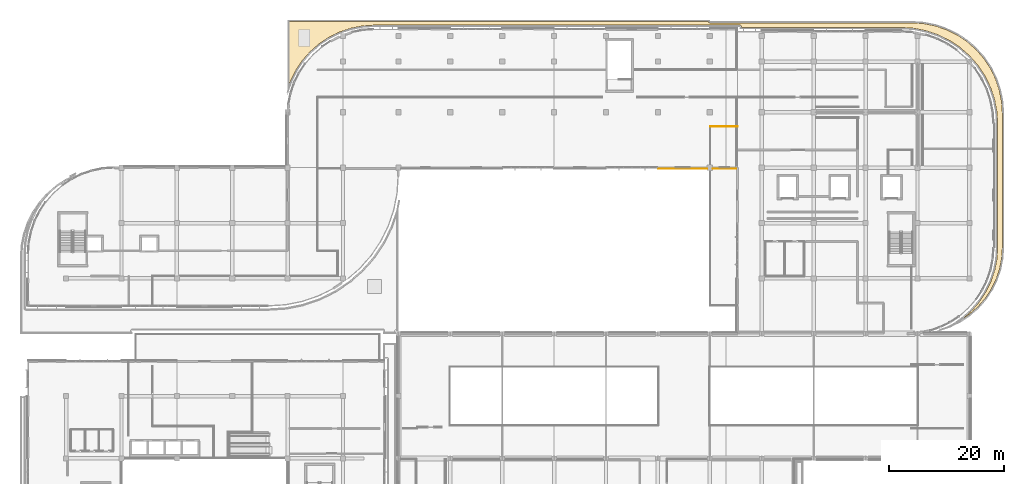
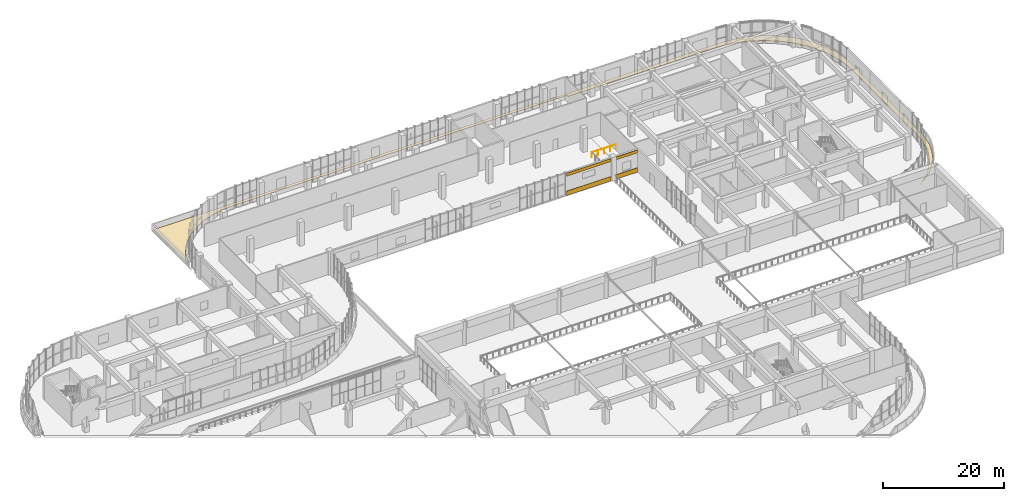
# One storey, part 90 of 96: 5 coverings, 1 railing.
"""IFC4 building model written with IfcOpenShell, lengths in metres."""

from ifc_helpers import new_model, si_unit, direction, frame, origin, origin_2d, place, context, subcontext, project, spatial, polyline, rectangle, circle, outline, extrude, material, layer, layer_set, type_object, element, save


model = new_model("IFC4")

# Units and contexts
model_context = context("Model", 3, precision=1e-05, world=origin(), true_north=direction((0.0, 1.0)))
body_context = subcontext(model_context, "Body", "Model", "MODEL_VIEW")
ifc_project = project(units=[si_unit("LENGTHUNIT", "METRE"), si_unit("AREAUNIT", "SQUARE_METRE"), si_unit("VOLUMEUNIT", "CUBIC_METRE"), si_unit("PLANEANGLEUNIT", "RADIAN"), si_unit("MASSUNIT", "GRAM", prefix="KILO")], contexts=[model_context])

# Site, building, storey
site_placement = place(None, origin())
site = spatial("IfcSite", under=ifc_project, at=site_placement, CompositionType="ELEMENT")
building_placement = place(site_placement, origin())
building = spatial("IfcBuilding", under=site, at=building_placement, Name="Cendralis Terraced Arcade", CompositionType="ELEMENT")
storey_placement = place(building_placement, frame((0.0, 0.0, 10.199951171875)))
storey = spatial("IfcBuildingStorey", under=building, at=storey_placement, Name="L02", CompositionType="ELEMENT", Elevation=10.199951171875)

# Coverings
ifc_material_1 = material(Name="Precast concrete f'c 40 MPa", Category="concrete")
ifc_layer_1 = layer(ifc_material_1, 0.06494140625, Name="COV-CLAD-GRC-65")
ifc_layer_set_1 = layer_set([ifc_layer_1], Name="Precast concrete f'c 40 MPa")
covering_type_1 = type_object("IfcCoveringType", Name="COV-CLAD-GRC-65", PredefinedType="CLADDING", material=ifc_layer_set_1)
covering_1_placement = place(storey_placement, frame((123.739013671875, 88.6201171875, 0.0), z_axis=(0.0, 0.0, 1.0), x_axis=(-1.0, 0.0, 0.0)))
element("IfcCovering", 1, at=covering_1_placement, inside=storey, type_object=covering_type_1, Name="Banded Precast Stone Spandrel Cladding L02-243", PredefinedType="CLADDING", context=body_context, shape_type="SweptSolid", body=[
    extrude(rectangle(XDim=4.1220703125, YDim=0.06494140625, at=origin_2d()), origin(), (0.0, 0.0, 1.0), 0.89990234375),
])
covering_2_placement = place(storey_placement, frame((123.739013671875, 88.6201171875, 3.89501953125), z_axis=(0.0, 0.0, 1.0), x_axis=(-1.0, 0.0, 0.0)))
element("IfcCovering", 2, at=covering_2_placement, inside=storey, type_object=covering_type_1, Name="Banded Precast Stone Lintel Cladding L02-244", PredefinedType="CLADDING", context=body_context, shape_type="SweptSolid", body=[
    extrude(rectangle(XDim=4.1220703125, YDim=0.06494140625, at=origin_2d()), origin(), (0.0, 0.0, 1.0), 0.60009765625),
])
covering_3_placement = place(storey_placement, frame((116.47607421875, 88.6201171875, 0.0), z_axis=(0.0, 0.0, 1.0), x_axis=(-1.0, 0.0, 0.0)))
element("IfcCovering", 3, at=covering_3_placement, inside=storey, type_object=covering_type_1, Name="Banded Precast Stone Spandrel Cladding L02-245", PredefinedType="CLADDING", context=body_context, shape_type="SweptSolid", body=[
    extrude(rectangle(XDim=8.491943359375, YDim=0.06494140625, at=origin_2d()), origin(), (0.0, 0.0, 1.0), 0.89990234375),
])
covering_4_placement = place(storey_placement, frame((116.47607421875, 88.6201171875, 3.89501953125), z_axis=(0.0, 0.0, 1.0), x_axis=(-1.0, 0.0, 0.0)))
element("IfcCovering", 4, at=covering_4_placement, inside=storey, type_object=covering_type_1, Name="Banded Precast Stone Lintel Cladding L02-246", PredefinedType="CLADDING", context=body_context, shape_type="SweptSolid", body=[
    extrude(rectangle(XDim=8.491943359375, YDim=0.06494140625, at=origin_2d()), origin(), (0.0, 0.0, 1.0), 0.60009765625),
])
ifc_material_2 = material(Name="TPO insulated waterproofing membrane")
ifc_layer_2 = layer(ifc_material_2, 0.080078125, Name="COV-ROOF-MEM-80")
ifc_layer_set_2 = layer_set([ifc_layer_2], Name="TPO insulated waterproofing membrane")
covering_type_2 = type_object("IfcCoveringType", Name="COV-ROOF-MEM-80", PredefinedType="ROOFING", material=ifc_layer_set_2)
covering_5_placement = place(storey_placement, origin())
element("IfcCovering", 5, at=covering_5_placement, inside=storey, type_object=covering_type_2, Name="Insulated Waterproofing Roof Membrane L02-02", PredefinedType="ROOFING", context=body_context, shape_type="SweptSolid", body=[
    extrude(outline(polyline([(48.280029296875, 103.17919921875), (48.280029296875, 114.1201171875), (120.931640625, 114.1201171875), (120.93212890625, 114.11865234375), (120.94140625, 114.0927734375), (120.953125, 114.068115234375), (120.96728515625, 114.04443359375), (120.983642578125, 114.0224609375), (121.001953125, 114.001953125), (121.0224609375, 113.983642578125), (121.04443359375, 113.96728515625), (121.068115234375, 113.953125), (121.0927734375, 113.94140625), (121.11865234375, 113.93212890625), (121.1455078125, 113.92529296875), (121.172607421875, 113.92138671875), (121.199951171875, 113.919921875), (156.19091796875, 113.919921875), (158.251708984375, 113.784912109375), (160.2685546875, 113.3837890625), (162.215576171875, 112.722900390625), (164.059814453125, 111.8134765625), (165.769287109375, 110.671142578125), (167.315185546875, 109.315185546875), (168.671142578125, 107.769287109375), (169.8134765625, 106.059814453125), (170.722900390625, 104.215576171875), (171.3837890625, 102.2685546875), (171.784912109375, 100.251708984375), (171.919921875, 98.19091796875), (171.919921875, 75.00927734375), (171.79345703125, 73.07861328125), (171.41796875, 71.190185546875), (170.799072265625, 69.3671875), (169.947509765625, 67.640380859375), (168.877685546875, 66.039306640625), (167.608154296875, 64.591796875), (166.16064453125, 63.322265625), (164.559814453125, 62.252685546875), (164.422119140625, 62.184814453125), (164.943115234375, 62.532958984375), (164.97216796875, 62.555419921875), (166.48876953125, 63.88525390625), (166.5146484375, 63.9111328125), (167.8447265625, 65.427734375), (167.866943359375, 65.456787109375), (168.98779296875, 67.134033203125), (169.006103515625, 67.165771484375), (169.898193359375, 68.974853515625), (169.912109375, 69.008544921875), (170.560546875, 70.918701171875), (170.570068359375, 70.9541015625), (170.963623046875, 72.9326171875), (170.968505859375, 72.968994140625), (171.099365234375, 74.968017578125), (171.10009765625, 74.986328125), (171.10009765625, 96.413818359375), (171.099365234375, 96.43212890625), (170.959716796875, 98.561767578125), (170.955078125, 98.597900390625), (170.535888671875, 100.70458984375), (170.526611328125, 100.739990234375), (169.836181640625, 102.77392578125), (169.822021484375, 102.807861328125), (168.8720703125, 104.734375), (168.853759765625, 104.76611328125), (167.660400390625, 106.552001953125), (167.63818359375, 106.5810546875), (166.2216796875, 108.19580078125), (166.19580078125, 108.2216796875), (164.5810546875, 109.63818359375), (164.552001953125, 109.660400390625), (162.76611328125, 110.853759765625), (162.734375, 110.8720703125), (160.807861328125, 111.822021484375), (160.77392578125, 111.836181640625), (158.739990234375, 112.526611328125), (158.70458984375, 112.535888671875), (156.597900390625, 112.955078125), (156.561767578125, 112.959716796875), (154.43212890625, 113.099365234375), (154.413818359375, 113.10009765625), (126.699951171875, 113.10009765625), (126.699951171875, 113.219970703125), (126.69873046875, 113.247314453125), (126.694580078125, 113.274658203125), (126.68798828125, 113.30126953125), (126.6787109375, 113.3271484375), (126.6669921875, 113.35205078125), (126.65283203125, 113.37548828125), (126.636474609375, 113.397705078125), (126.617919921875, 113.41796875), (126.59765625, 113.436279296875), (126.57568359375, 113.452880859375), (126.552001953125, 113.466796875), (126.527099609375, 113.478759765625), (126.501220703125, 113.48779296875), (126.474609375, 113.49462890625), (126.447509765625, 113.498779296875), (126.419921875, 113.5), (62.986328125, 113.5), (62.968017578125, 113.49951171875), (60.968994140625, 113.368408203125), (60.9326171875, 113.363525390625), (58.9541015625, 112.97021484375), (58.918701171875, 112.960693359375), (57.008544921875, 112.312255859375), (56.974853515625, 112.298095703125), (55.165771484375, 111.406005859375), (55.134033203125, 111.3876953125), (53.456787109375, 110.26708984375), (53.427734375, 110.24462890625), (51.9111328125, 108.914794921875), (51.88525390625, 108.888916015625), (50.555419921875, 107.372314453125), (50.532958984375, 107.34326171875), (49.412353515625, 105.666015625), (49.39404296875, 105.63427734375), (48.501708984375, 103.8251953125), (48.48779296875, 103.79150390625), (48.280029296875, 103.17919921875)])), origin(), (0.0, 0.0, 1.0), 0.080078125),
])

# Railing
ifc_material_3 = material(Name="Brushed stainless steel AISI 316", Category="steel")
railing_type = type_object("IfcRailingType", Name="RL-TER-GUARD-1150", PredefinedType="GUARDRAIL", material=ifc_material_3)
railing_placement = place(storey_placement, frame((121.280029296875, 95.919921875, 0.0)))
element("IfcRailing", 6, at=railing_placement, inside=storey, type_object=railing_type, Name="Planted Terrace Perimeter Guardrail GR-TER-L02-008", PredefinedType="GUARDRAIL", context=body_context, shape_type="SweptSolid", body=[
    extrude(circle(Radius=0.02392578125, at=origin_2d()), frame((0.0, 0.0, 1.1259765625), z_axis=(1.0, 0.0, 0.0), x_axis=(0.0, 1.0, 0.0)), (0.0, 0.0, 1.0), 4.719970703125),
    extrude(circle(Radius=0.02099609375, at=origin_2d()), origin(), (0.0, 0.0, 1.0), 1.101806640625),
    extrude(circle(Radius=0.02099609375, at=origin_2d()), frame((1.179931640625, 0.0, 0.0)), (0.0, 0.0, 1.0), 1.101806640625),
    extrude(circle(Radius=0.02099609375, at=origin_2d()), frame((2.35986328125, 0.0, 0.0)), (0.0, 0.0, 1.0), 1.101806640625),
    extrude(circle(Radius=0.02099609375, at=origin_2d()), frame((3.5400390625, 0.0, 0.0)), (0.0, 0.0, 1.0), 1.101806640625),
    extrude(circle(Radius=0.02099609375, at=origin_2d()), frame((4.719970703125, 0.0, 0.0)), (0.0, 0.0, 1.0), 1.101806640625),
])

save(model, "model.ifc")
